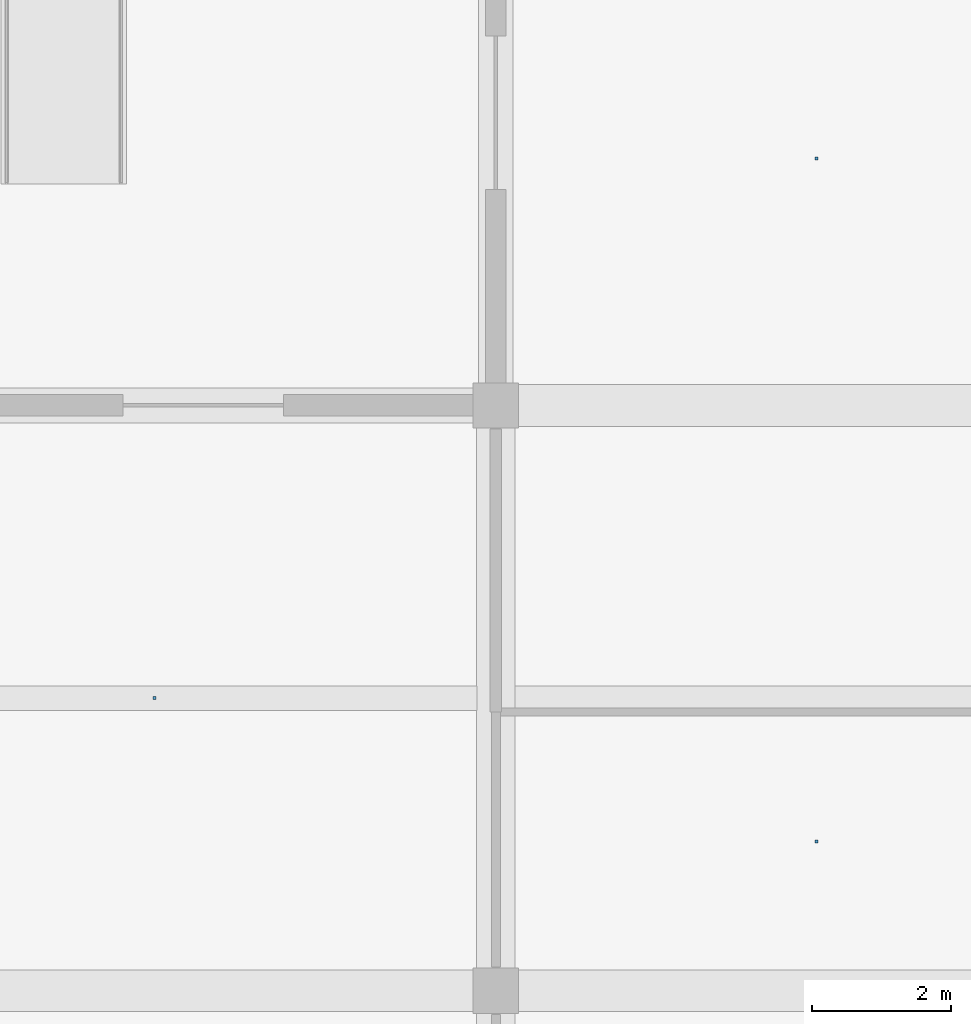
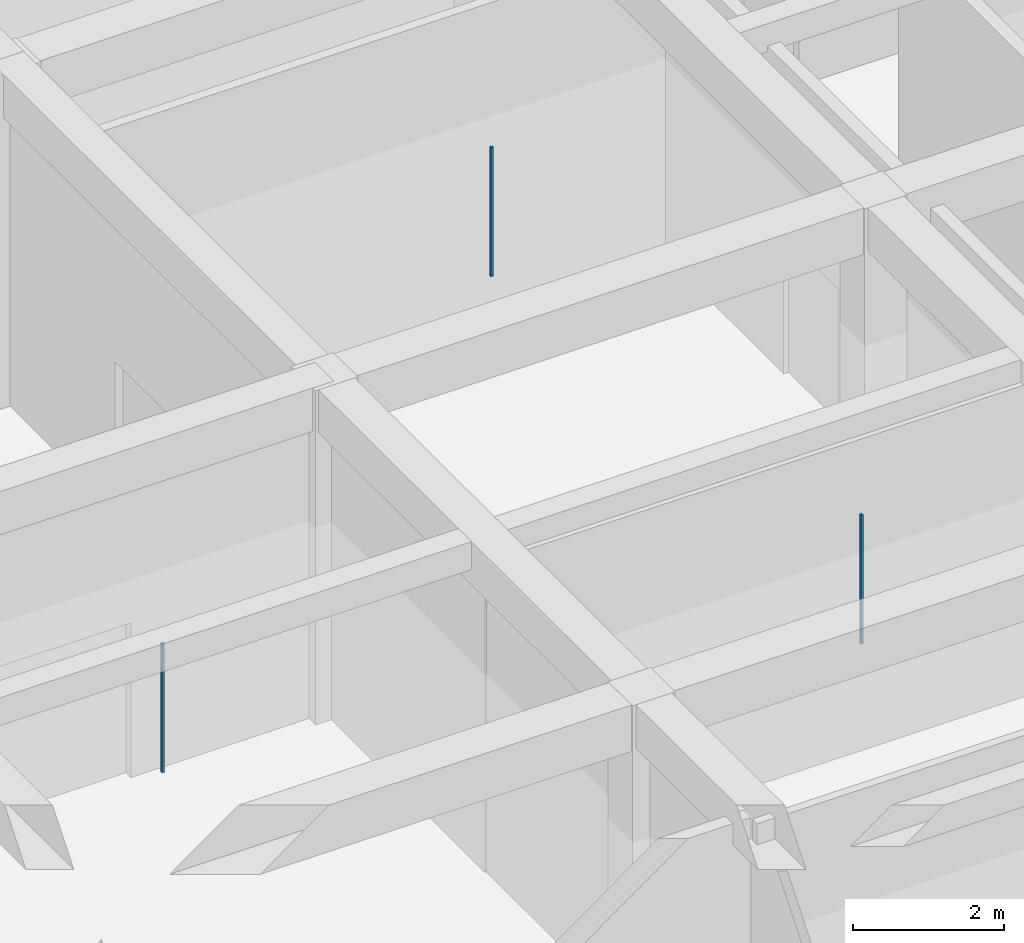
# One storey, part 126 of 167: 3 discrete accessories.
"""IFC4 building model written with IfcOpenShell, lengths in metres."""

import ifcopenshell
import ifcopenshell.guid

model = None  # the IFC model being written
_history = None  # IfcOwnerHistory: only IFC2X3 demands one
_inside = {}  # id of a spatial element -> (the spatial element, [elements in it])
_under = {}  # id of a project, library or spatial element -> (it, [spatial elements below it])
_declared = {}  # id of a project -> (the project, [libraries it declares])
_typed = {}  # id of a type object -> (the type object, [elements of that type])
_made_of = {}  # id of a material, layer set ... -> (it, [elements and type objects made of it])


def new_model(schema):
    """Start an empty IFC model of exactly this schema.

    Asked for "IFC4X3", IfcOpenShell would pick the latest addendum, in which some entities
    have other attributes; the version numbers below select the first issue.
    IFC2X3 requires an IfcOwnerHistory on every rooted entity: one is made here for all.
    """
    global model, _history
    if schema == "IFC4X3":
        model = ifcopenshell.file(schema_version=(4, 3, 0, 0))
    else:
        model = ifcopenshell.file(schema=schema)
    _inside.clear()
    _under.clear()
    _declared.clear()
    _typed.clear()
    _made_of.clear()
    _history = None
    if model.schema == "IFC2X3":
        org = make("IfcOrganization", Name="unknown")
        user = make(
            "IfcPersonAndOrganization",
            ThePerson=make("IfcPerson", FamilyName="unknown"),
            TheOrganization=org,
        )
        app = make(
            "IfcApplication",
            ApplicationDeveloper=org,
            Version="unknown",
            ApplicationFullName="unknown",
            ApplicationIdentifier="unknown",
        )
        _history = make(
            "IfcOwnerHistory",
            OwningUser=user,
            OwningApplication=app,
            ChangeAction="ADDED",
            CreationDate=0,
        )
    return model


def make(cls, **values):
    """One entity of the class cls with the attributes given. An attribute that is None is left unset."""
    return model.create_entity(
        cls, **{name: value for name, value in values.items() if value is not None}
    )


def rooted(cls, **values):
    """An entity with a GlobalId (a new one), such as an element, a storey or a relation."""
    return make(cls, GlobalId=ifcopenshell.guid.new(), OwnerHistory=_history, **values)


def si_unit(unit_type, name, prefix=None):
    """IfcSIUnit, for example si_unit("LENGTHUNIT", "METRE", prefix="MILLI")."""
    return make("IfcSIUnit", UnitType=unit_type, Prefix=prefix, Name=name)


def assignment(units):
    """IfcUnitAssignment: the units of a project."""
    return None if units is None else make("IfcUnitAssignment", Units=units)


def point(xyz):
    """IfcCartesianPoint."""
    return None if xyz is None else make("IfcCartesianPoint", Coordinates=xyz)


def direction(xyz):
    """IfcDirection."""
    return None if xyz is None else make("IfcDirection", DirectionRatios=xyz)


def frame(location, z_axis=None, x_axis=None):
    """IfcAxis2Placement3D, a coordinate frame: its origin and axes. An axis left out is left unset."""
    return make(
        "IfcAxis2Placement3D",
        Location=point(location),
        Axis=direction(z_axis),
        RefDirection=direction(x_axis),
    )


def frame_2d(location, x_axis=None):
    """IfcAxis2Placement2D, a coordinate frame in the plane: its origin and x axis."""
    return make(
        "IfcAxis2Placement2D", Location=point(location), RefDirection=direction(x_axis)
    )


def origin():
    """The frame at (0, 0, 0) with its axes left unset."""
    return frame((0.0, 0.0, 0.0))


def origin_2d():
    """The frame at (0, 0) in the plane with its x axis left unset."""
    return frame_2d((0.0, 0.0))


def place(relative_to, where):
    """IfcLocalPlacement: puts the frame where relative to a parent placement (None: the world)."""
    return make(
        "IfcLocalPlacement", PlacementRelTo=relative_to, RelativePlacement=where
    )


def context(
    kind, dimensions, precision=None, world=None, true_north=None, identifier=None
):
    """IfcGeometricRepresentationContext, for example the 3D "Model" context."""
    return make(
        "IfcGeometricRepresentationContext",
        ContextIdentifier=identifier,
        ContextType=kind,
        CoordinateSpaceDimension=dimensions,
        Precision=precision,
        WorldCoordinateSystem=world,
        TrueNorth=true_north,
    )


def subcontext(parent, identifier, kind, view, scale=None):
    """IfcGeometricRepresentationSubContext, for example "Body" below "Model"."""
    return make(
        "IfcGeometricRepresentationSubContext",
        ContextIdentifier=identifier,
        ContextType=kind,
        ParentContext=parent,
        TargetScale=scale,
        TargetView=view,
    )


def project(units=None, contexts=None):
    """IfcProject with its units and contexts."""
    return rooted(
        "IfcProject",
        Name="project",
        RepresentationContexts=contexts,
        UnitsInContext=assignment(units),
    )


def spatial(cls, under=None, at=None, **own):
    """A site, building, storey or space (cls), placed at a placement, below another one or the project."""
    s = rooted(cls, ObjectPlacement=at, **own)
    if under is not None:
        _under.setdefault(under.id(), (under, []))[1].append(s)
    return s


def profile(cls, at=None, kind="AREA", **sizes):
    """A parametric profile (cls). Its sizes go by their IFC names, for example OverallWidth=200.0."""
    return make(cls, ProfileType=kind, Position=at, **sizes)


def rectangle(**sizes):
    """IfcRectangleProfileDef."""
    return profile("IfcRectangleProfileDef", **sizes)


def extrude(swept, where, along, depth):
    """IfcExtrudedAreaSolid: the profile swept, set in the frame where, extruded along a direction by depth."""
    return make(
        "IfcExtrudedAreaSolid",
        SweptArea=swept,
        Position=where,
        ExtrudedDirection=direction(along),
        Depth=depth,
    )


def shape(context_of_items, identifier, shape_type, items):
    """IfcShapeRepresentation: the items that make up one representation, for example the "Body"."""
    return make(
        "IfcShapeRepresentation",
        ContextOfItems=context_of_items,
        RepresentationIdentifier=identifier,
        RepresentationType=shape_type,
        Items=items,
    )


def material(Name=None, Category=None):
    """IfcMaterial."""
    return make("IfcMaterial", Name=Name, Category=Category)


def made_of(thing, what):
    """Note that an element or type object is made of a material, layer set ...; save() writes the relation."""
    if what is not None:
        _made_of.setdefault(what.id(), (what, []))[1].append(thing)
    return thing


def type_object(cls, material=None, **own):
    """A type object (cls), such as IfcWallType, which elements share."""
    return made_of(rooted(cls, **own), material)


def element(
    cls,
    number,
    at=None,
    inside=None,
    cuts=None,
    type_object=None,
    material=None,
    context=None,
    identifier="Body",
    shape_type=None,
    held_by="IfcProductDefinitionShape",
    body=None,
    shapes=None,
    **own,
):
    """One element of the class cls, such as IfcWall. Its Tag is "e" and its number.

    at: its placement. inside: the storey or other place that contains it. cuts: it is an
    opening in that element (IfcRelVoidsElement). A single representation is given by context,
    identifier, shape_type and body (its items); several are given by shapes. held_by: the class
    of the entity that holds the representations. save() writes the other relations.
    """
    e = rooted(cls, Tag="e%d" % number, ObjectPlacement=at, **own)
    if body is not None:
        shapes = [shape(context, identifier, shape_type, body)]
    if shapes is not None:
        e.Representation = make(held_by, Representations=shapes)
    if inside is not None:
        _inside.setdefault(inside.id(), (inside, []))[1].append(e)
    if cuts is not None:
        rooted(
            "IfcRelVoidsElement", RelatingBuildingElement=cuts, RelatedOpeningElement=e
        )
    if type_object is not None:
        _typed.setdefault(type_object.id(), (type_object, []))[1].append(e)
    return made_of(e, material)


def aggregate(whole, parts):
    """IfcRelAggregates: a whole, such as a stair, and the parts it consists of."""
    return rooted("IfcRelAggregates", RelatingObject=whole, RelatedObjects=parts)


def save(model, path):
    """Write the relations noted so far, then the file.

    IfcRelAggregates (storeys below a building ...), IfcRelContainedInSpatialStructure (elements
    in a storey), IfcRelDefinesByType, IfcRelAssociatesMaterial and IfcRelDeclares: one each for
    every whole, place, type object, material and project.
    """
    for whole, parts in _under.values():
        aggregate(whole, parts)
    for where, things in _inside.values():
        rooted(
            "IfcRelContainedInSpatialStructure",
            RelatedElements=things,
            RelatingStructure=where,
        )
    for kind, things in _typed.values():
        rooted("IfcRelDefinesByType", RelatedObjects=things, RelatingType=kind)
    for what, things in _made_of.values():
        rooted("IfcRelAssociatesMaterial", RelatedObjects=things, RelatingMaterial=what)
    for by, libraries in _declared.values():
        rooted("IfcRelDeclares", RelatingContext=by, RelatedDefinitions=libraries)
    model.write(path)


model = new_model("IFC4")

# Units and contexts
model_context = context("Model", 3, precision=1e-05, world=origin(), true_north=direction((0.0, 1.0)))
body_context = subcontext(model_context, "Body", "Model", "MODEL_VIEW")
ifc_project = project(units=[si_unit("LENGTHUNIT", "METRE"), si_unit("AREAUNIT", "SQUARE_METRE"), si_unit("VOLUMEUNIT", "CUBIC_METRE"), si_unit("PLANEANGLEUNIT", "RADIAN"), si_unit("MASSUNIT", "GRAM", prefix="KILO")], contexts=[model_context])

# Site, building, storey
site_placement = place(None, origin())
site = spatial("IfcSite", under=ifc_project, at=site_placement, CompositionType="ELEMENT")
building_placement = place(site_placement, origin())
building = spatial("IfcBuilding", under=site, at=building_placement, Name="Varncliffe General Hospital", CompositionType="ELEMENT")
storey_placement = place(building_placement, origin())
storey = spatial("IfcBuildingStorey", under=building, at=storey_placement, Name="L00", CompositionType="ELEMENT", Elevation=0.0)

# Discrete accessories
ifc_material = material(Name="Powder-coated hospital steel guardrail and handrail", Category="steel")
discrete_accessory_type = type_object("IfcDiscreteAccessoryType", Name="Suspended Ceiling Hanger Bracket CH01", PredefinedType="BRACKET", material=ifc_material)
for number, where, z_axis, x_axis, name in (
    (1, (155.800048828125, 34.54248046875, 3.18994140625), (0.0, 0.0, 1.0), (1.0, 0.0, 0.0), "L00 Suspended Ceiling Hanger 63"),
    (2, (155.800048828125, 44.342529296875, 3.18994140625), (0.0, 0.0, 1.0), (1.0, 0.0, 0.0), "L00 Suspended Ceiling Hanger 64"),
    (3, (146.300048828125, 36.60009765625, 3.18994140625), (0.0, 0.0, 1.0), (1.0, 0.0, 0.0), "L00 Suspended Ceiling Hanger 79"),
):
    element("IfcDiscreteAccessory", number, at=place(storey_placement, frame(where, z_axis=z_axis, x_axis=x_axis)), inside=storey, type_object=discrete_accessory_type, Name=name, PredefinedType="BRACKET", context=body_context, shape_type="SweptSolid", body=[
        extrude(rectangle(XDim=0.0400390625, YDim=0.0400390625, at=origin_2d()), origin(), (0.0, 0.0, 1.0), 2.090087890625),
    ])

save(model, "model.ifc")
